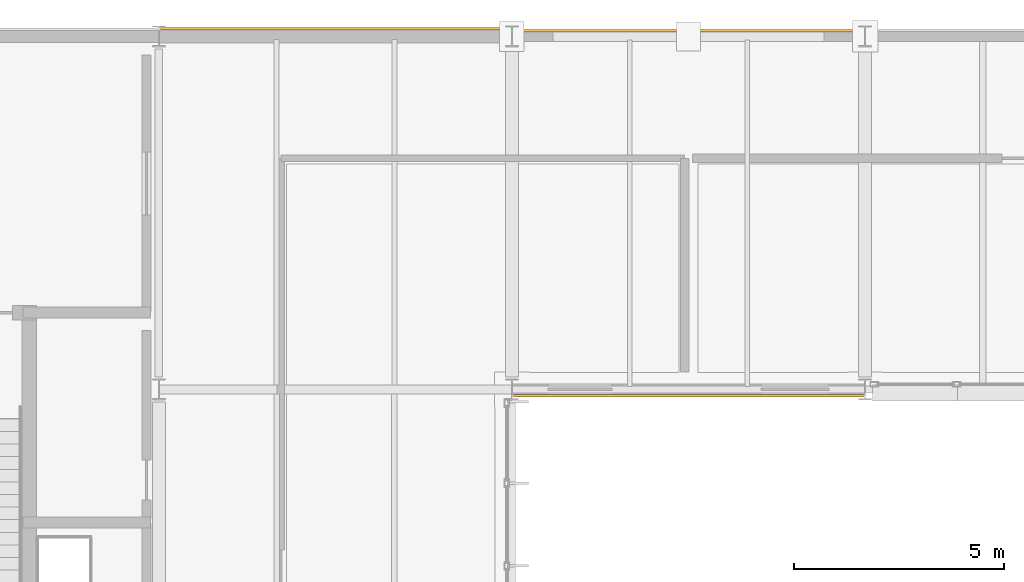
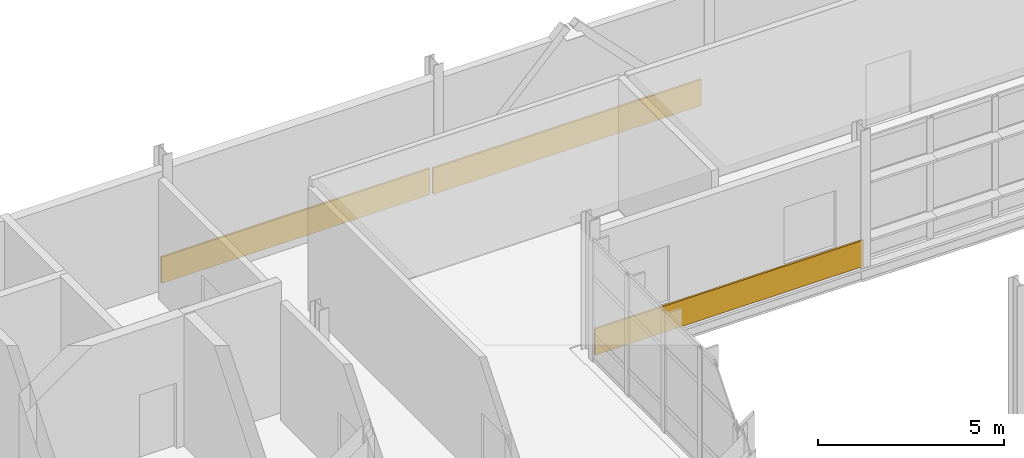
# One storey, part 118 of 129: 3 coverings.
"""IFC4 building model written with IfcOpenShell, lengths in metres."""

from ifc_helpers import new_model, si_unit, direction, frame, origin, origin_2d, place, context, subcontext, project, spatial, rectangle, extrude, material, layer, layer_set, type_object, element, save


model = new_model("IFC4")

# Units and contexts
model_context = context("Model", 3, precision=1e-05, world=origin(), true_north=direction((0.0, 1.0)))
body_context = subcontext(model_context, "Body", "Model", "MODEL_VIEW")
ifc_project = project(units=[si_unit("LENGTHUNIT", "METRE"), si_unit("AREAUNIT", "SQUARE_METRE"), si_unit("VOLUMEUNIT", "CUBIC_METRE"), si_unit("PLANEANGLEUNIT", "RADIAN"), si_unit("MASSUNIT", "GRAM", prefix="KILO")], contexts=[model_context])

# Site, building, storey
site_placement = place(None, origin())
site = spatial("IfcSite", under=ifc_project, at=site_placement, CompositionType="ELEMENT")
building_placement = place(site_placement, origin())
building = spatial("IfcBuilding", under=site, at=building_placement, Name="Mersafa Astral City Hall", CompositionType="ELEMENT")
storey_placement = place(building_placement, frame((0.0, 0.0, 5.39990234375)))
storey = spatial("IfcBuildingStorey", under=building, at=storey_placement, Name="L01", CompositionType="ELEMENT", Elevation=5.39990234375)

# Coverings
ifc_material = material(Name="Cairo Mokattam buff limestone cladding", Category="masonry")
ifc_layer = layer(ifc_material, 0.06005859375, Name="Cairo Mokattam buff limestone cladding")
ifc_layer_set = layer_set([ifc_layer], Name="Cairo Mokattam buff limestone cladding — ENV-COV-LIMESTONE-60")
covering_type = type_object("IfcCoveringType", Name="ENV-COV-LIMESTONE-60", PredefinedType="CLADDING", material=ifc_layer_set)
for number, where, z_axis, x_axis, name in (
    (1, (63.0, 126.139404296875, 0.0), (0.0, 0.0, 1.0), (-1.0, 0.0, 0.0), "L01 Cairo buff limestone rainscreen cladding 107"),
    (2, (54.60009765625, 126.177001953125, 0.0), (0.0, 0.0, 1.0), (-1.0, 0.0, 0.0), "L01 Cairo buff limestone rainscreen cladding 108"),
    (3, (63.0, 117.445556640625, 0.0), (0.0, 0.0, 1.0), (1.0, 0.0, 0.0), "L01 Cairo buff limestone rainscreen cladding 123"),
):
    element("IfcCovering", number, at=place(storey_placement, frame(where, z_axis=z_axis, x_axis=x_axis)), inside=storey, type_object=covering_type, Name=name, PredefinedType="CLADDING", context=body_context, shape_type="SweptSolid", body=[
        extrude(rectangle(XDim=8.323974609375, YDim=0.06005859375, at=origin_2d()), origin(), (0.0, 0.0, 1.0), 0.860107421875),
    ])

save(model, "model.ifc")
